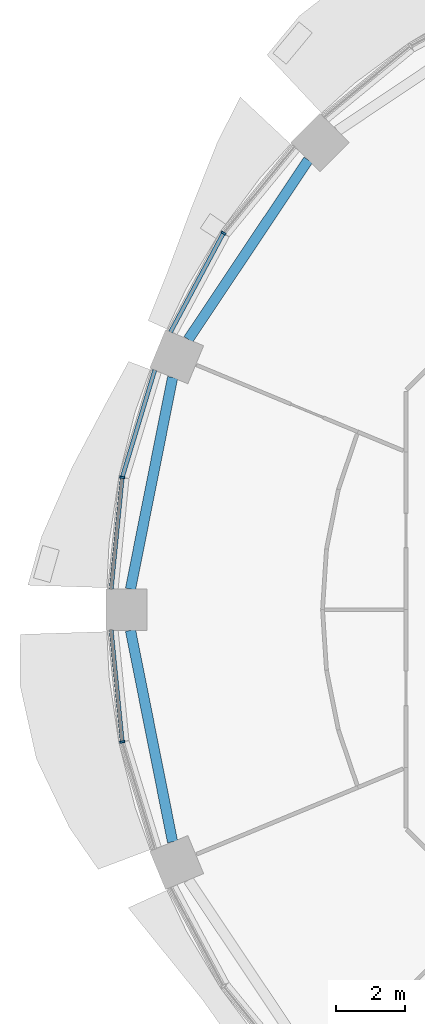
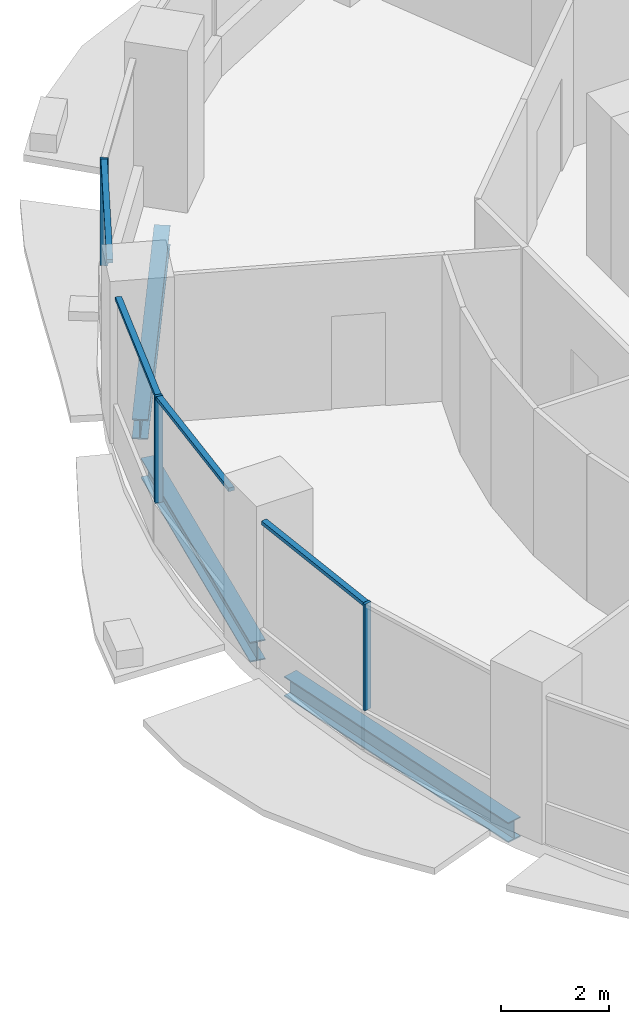
# One storey, part 4 of 15: 7 members, 3 beams, 3 elements without a shape of their own.
"""IFC4 building model written with IfcOpenShell, lengths in metres."""

from ifc_helpers import new_model, si_unit, direction, frame, origin, origin_2d, place, context, subcontext, project, spatial, rectangle, i_section, extrude, material, material_profile, profile_set, type_object, element, aggregate, save


model = new_model("IFC4")

# Units and contexts
model_context = context("Model", 3, precision=1e-05, world=origin(), true_north=direction((0.0, 1.0)))
body_context = subcontext(model_context, "Body", "Model", "MODEL_VIEW")
ifc_project = project(units=[si_unit("LENGTHUNIT", "METRE"), si_unit("AREAUNIT", "SQUARE_METRE"), si_unit("VOLUMEUNIT", "CUBIC_METRE"), si_unit("PLANEANGLEUNIT", "RADIAN"), si_unit("MASSUNIT", "GRAM", prefix="KILO")], contexts=[model_context])

# Site, building, storey
site_placement = place(None, origin())
site = spatial("IfcSite", under=ifc_project, at=site_placement, CompositionType="ELEMENT")
building_placement = place(site_placement, origin())
building = spatial("IfcBuilding", under=site, at=building_placement, Name="Polderwave Tower", CompositionType="ELEMENT")
storey_placement = place(building_placement, frame((0.0, 0.0, 29.85009765625)))
storey = spatial("IfcBuildingStorey", under=building, at=storey_placement, Name="L07", CompositionType="ELEMENT", Elevation=29.85009765625)

# Curtain wall, member
ifc_material_1 = material(Name="Aluminium 6063-T6 and glass", Category="aluminium")
curtain_wall_type = type_object("IfcCurtainWallType", Name="Growing floor ribbon glazing wall", PredefinedType="NOTDEFINED", material=ifc_material_1)
curtain_wall_1_placement = place(storey_placement, origin())
curtain_wall_1 = element("IfcCurtainWall", 1, at=curtain_wall_1_placement, inside=storey, type_object=curtain_wall_type, Name="CW2 L07 06", PredefinedType="NOTDEFINED")
ifc_material_2 = material(Name="Aluminium 6063-T6", Category="aluminium")
ifc_material_profile_1 = material_profile(ifc_material_2, rectangle(XDim=0.14990234375, YDim=0.06005859375, at=origin_2d()), Name="AL 60x150")
ifc_profile_set_1 = profile_set([ifc_material_profile_1], Name="Aluminium 6063-T6")
member_type_1 = type_object("IfcMemberType", Name="Growing floor ribbon glazing mullion 60x150", PredefinedType="MULLION", material=ifc_profile_set_1)
member_1_placement = place(storey_placement, frame((-16.3798828125, 10.945068359375, 0.89990234375), z_axis=(0.0, 0.0, 1.0), x_axis=(0.831436642637, -0.555619572441, 0.0)))
member_1 = element("IfcMember", 2, at=member_1_placement, type_object=member_type_1, Name="CW2 mullion 1", PredefinedType="MULLION", context=body_context, shape_type="SweptSolid", body=[
    extrude(rectangle(XDim=0.14990234375, YDim=0.06005859375, at=origin_2d()), origin(), (0.0, 0.0, 1.0), 2.39990234375),
])

curtain_wall_2_placement = place(storey_placement, origin())
curtain_wall_2 = element("IfcCurtainWall", 3, at=curtain_wall_2_placement, inside=storey, type_object=curtain_wall_type, Name="CW2 L07 07", PredefinedType="NOTDEFINED")
member_2_placement = place(storey_placement, frame((-19.321044921875, 3.843017578125, 0.89990234375), z_axis=(0.0, 0.0, 1.0), x_axis=(0.980771658139, -0.19515879327, 0.0)))
member_2 = element("IfcMember", 4, at=member_2_placement, type_object=member_type_1, Name="CW2 mullion 1", PredefinedType="MULLION", context=body_context, shape_type="SweptSolid", body=[
    extrude(rectangle(XDim=0.14990234375, YDim=0.06005859375, at=origin_2d()), origin(), (0.0, 0.0, 1.0), 2.39990234375),
])

curtain_wall_3_placement = place(storey_placement, origin())
curtain_wall_3 = element("IfcCurtainWall", 5, at=curtain_wall_3_placement, inside=storey, type_object=curtain_wall_type, Name="CW2 L07 08", PredefinedType="NOTDEFINED")
member_3_placement = place(storey_placement, frame((-19.321044921875, -3.843017578125, 0.89990234375), z_axis=(0.0, 0.0, 1.0), x_axis=(0.980771658139, 0.19515879327, 0.0)))
member_3 = element("IfcMember", 6, at=member_3_placement, type_object=member_type_1, Name="CW2 mullion 1", PredefinedType="MULLION", context=body_context, shape_type="SweptSolid", body=[
    extrude(rectangle(XDim=0.14990234375, YDim=0.06005859375, at=origin_2d()), origin(), (0.0, 0.0, 1.0), 2.39990234375),
])

# Member
ifc_material_profile_2 = material_profile(ifc_material_2, rectangle(XDim=0.1201171875, YDim=0.080078125, at=origin_2d()), Name="AL 80x120")
ifc_profile_set_2 = profile_set([ifc_material_profile_2], Name="Aluminium 6063-T6")
member_type_2 = type_object("IfcMemberType", Name="Growing floor ribbon glazing transom 80x120", PredefinedType="USERDEFINED", material=ifc_profile_set_2)
member_4_placement = place(storey_placement, frame((-16.39404296875, 10.91845703125, 3.260009765625), z_axis=(-0.471396538118, -0.88192137056, 0.0), x_axis=(0.88192137056, -0.471396538118, 0.0)))
member_4 = element("IfcMember", 7, at=member_4_placement, type_object=member_type_2, Name="CW2 transom 2", ObjectType="TRANSOM", PredefinedType="USERDEFINED", context=body_context, shape_type="SweptSolid", body=[
    extrude(rectangle(XDim=0.1201171875, YDim=0.080078125, at=origin_2d()), origin(), (0.0, 0.0, 1.0), 3.228759765625),
])

aggregate(curtain_wall_1, [member_1, member_4])

member_5_placement = place(storey_placement, frame((-18.375, 6.9619140625, 3.260009765625), z_axis=(-0.290231901029, -0.956956343636, 0.0), x_axis=(0.956956343636, -0.290231901029, 0.0)))
member_5 = element("IfcMember", 8, at=member_5_placement, type_object=member_type_2, Name="CW2 transom 1", ObjectType="TRANSOM", PredefinedType="USERDEFINED", context=body_context, shape_type="SweptSolid", body=[
    extrude(rectangle(XDim=0.1201171875, YDim=0.080078125, at=origin_2d()), origin(), (0.0, 0.0, 1.0), 3.229248046875),
])

member_6_placement = place(storey_placement, frame((-19.323974609375, 3.81298828125, 3.260009765625), z_axis=(-0.098230820031, -0.995163657896, 0.0), x_axis=(0.995163657896, -0.098230820031, 0.0)))
member_6 = element("IfcMember", 9, at=member_6_placement, type_object=member_type_2, Name="CW2 transom 2", ObjectType="TRANSOM", PredefinedType="USERDEFINED", context=body_context, shape_type="SweptSolid", body=[
    extrude(rectangle(XDim=0.1201171875, YDim=0.080078125, at=origin_2d()), origin(), (0.0, 0.0, 1.0), 3.228515625),
])

aggregate(curtain_wall_2, [member_2, member_5, member_6])

member_7_placement = place(storey_placement, frame((-19.64111328125, -0.60009765625, 3.260009765625), z_axis=(0.098230820031, -0.995163657896, 0.0), x_axis=(0.995163657896, 0.098230820031, 0.0)))
member_7 = element("IfcMember", 10, at=member_7_placement, type_object=member_type_2, Name="CW2 transom 1", ObjectType="TRANSOM", PredefinedType="USERDEFINED", context=body_context, shape_type="SweptSolid", body=[
    extrude(rectangle(XDim=0.1201171875, YDim=0.080078125, at=origin_2d()), origin(), (0.0, 0.0, 1.0), 3.228515625),
])

aggregate(curtain_wall_3, [member_3, member_7])

# Beams
ifc_material_3 = material(Name="Steel S355", Category="steel")
ifc_material_profile_3 = material_profile(ifc_material_3, i_section(OverallWidth=0.300048828125, OverallDepth=0.449951171875, WebThickness=0.013916015625, FlangeThickness=0.02587890625, at=origin_2d()), Name="HE 450 B")
ifc_profile_set_3 = profile_set([ifc_material_profile_3], Name="Steel S355")
beam_type = type_object("IfcBeamType", Name="RING BEAM HE 450 B", PredefinedType="BEAM", material=ifc_profile_set_3)
beam_placement = place(storey_placement, frame((-13.916259765625, 13.06787109375, -0.5751953125), z_axis=(-0.555580751359, -0.831462584076, 0.0), x_axis=(0.831462584076, -0.555580751359, 0.0)))
element("IfcBeam", 11, at=beam_placement, inside=storey, type_object=beam_type, Name="ST-RB-L07-06", PredefinedType="BEAM", context=body_context, shape_type="SweptSolid", body=[
    extrude(i_section(OverallWidth=0.300048828125, OverallDepth=0.449951171875, WebThickness=0.013916015625, FlangeThickness=0.02587890625, at=origin_2d()), origin(), (0.0, 0.0, 1.0), 6.26806640625),
])
for number, where, z_axis, x_axis, name in (
    (12, (-17.85791015625, 6.74755859375, -0.5751953125), (-0.195067338291, -0.98078985187, 0.0), (0.98078985187, -0.195067338291, 0.0), "ST-RB-L07-07"),
    (13, (-19.08056640625, -0.60009765625, -0.5751953125), (0.195067338291, -0.98078985187, 0.0), (0.98078985187, 0.195067338291, 0.0), "ST-RB-L07-08"),
):
    element("IfcBeam", number, at=place(storey_placement, frame(where, z_axis=z_axis, x_axis=x_axis)), inside=storey, type_object=beam_type, Name=name, PredefinedType="BEAM", context=body_context, shape_type="SweptSolid", body=[
        extrude(i_section(OverallWidth=0.300048828125, OverallDepth=0.449951171875, WebThickness=0.013916015625, FlangeThickness=0.02587890625, at=origin_2d()), origin(), (0.0, 0.0, 1.0), 6.267822265625),
    ])

save(model, "model.ifc")
